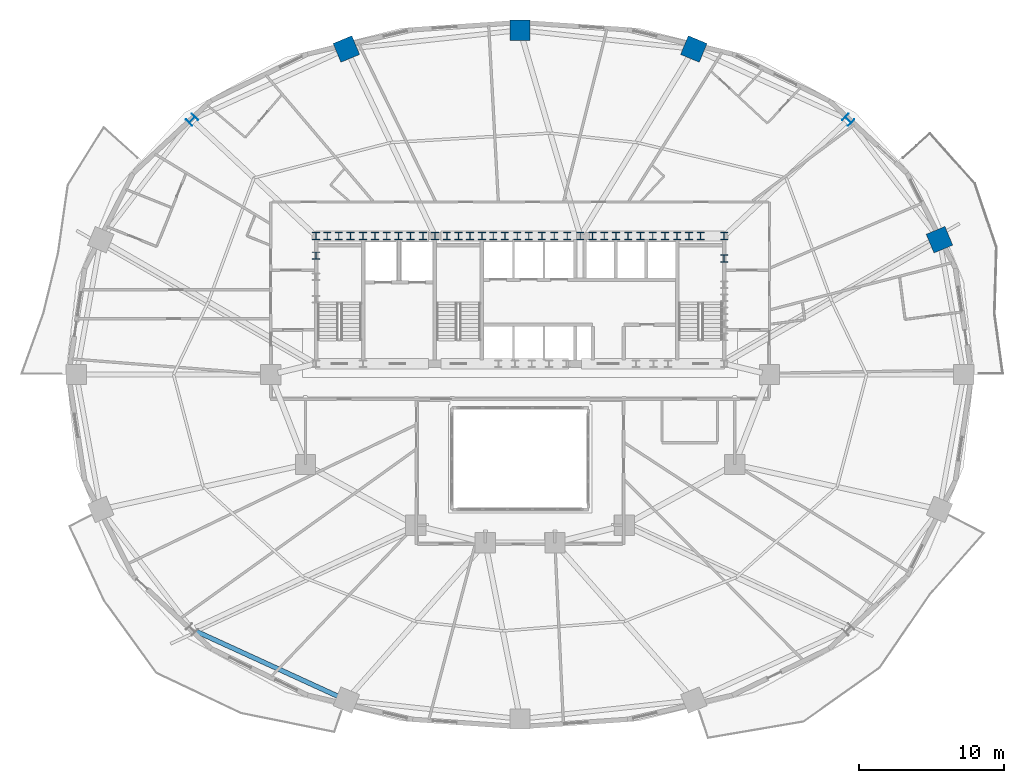
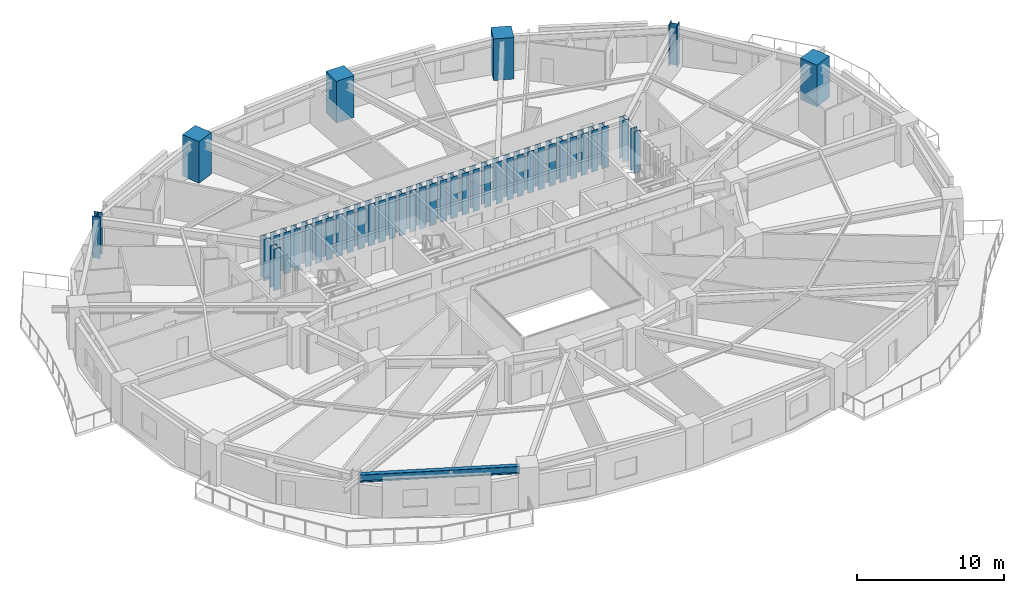
# One storey, part 2 of 17: 42 columns, 1 beam.
"""IFC4 building model written with IfcOpenShell, lengths in metres."""

from ifc_helpers import new_model, si_unit, direction, frame, origin, origin_2d, place, context, subcontext, project, spatial, rectangle, i_section, extrude, material, material_profile, profile_set, type_object, element, save


model = new_model("IFC4")

# Units and contexts
model_context = context("Model", 3, precision=1e-05, world=origin(), true_north=direction((0.0, 1.0)))
body_context = subcontext(model_context, "Body", "Model", "MODEL_VIEW")
ifc_project = project(units=[si_unit("LENGTHUNIT", "METRE"), si_unit("AREAUNIT", "SQUARE_METRE"), si_unit("VOLUMEUNIT", "CUBIC_METRE"), si_unit("PLANEANGLEUNIT", "RADIAN"), si_unit("MASSUNIT", "GRAM", prefix="KILO")], contexts=[model_context])

# Site, building, storey
site_placement = place(None, origin())
site = spatial("IfcSite", under=ifc_project, at=site_placement, CompositionType="ELEMENT")
building_placement = place(site_placement, origin())
building = spatial("IfcBuilding", under=site, at=building_placement, Name="Haldorwick Loom Tower", CompositionType="ELEMENT")
storey_placement = place(building_placement, frame((0.0, 0.0, 34.35009765625)))
storey = spatial("IfcBuildingStorey", under=building, at=storey_placement, Name="L08", CompositionType="ELEMENT", Elevation=34.35009765625)

# Columns
ifc_material_1 = material(Name="Concrete C60 (60 MPa)", Category="concrete")
ifc_material_profile_1 = material_profile(ifc_material_1, rectangle(XDim=1.39990234375, YDim=1.39990234375, at=origin_2d()), Name="RC1400X1400", Category="concrete")
ifc_profile_set_1 = profile_set([ifc_material_profile_1], Name="Concrete C60 (60 MPa)")
column_type_1 = type_object("IfcColumnType", Name="STR-COL-RC1400", PredefinedType="PILASTER", material=ifc_profile_set_1)
for number, where, z_axis, x_axis, name in (
    (1, (64.91748046875, 35.29931640625, 0.0), (0.0, 0.0, 1.0), (0.923879532511, 0.382683432365, 0.0), "L08 Perimeter Pier Column P02"),
    (2, (47.97802734375, 48.4501953125, 0.0), (0.0, 0.0, 1.0), (0.382683432365, 0.923879532511, 0.0), "L08 Perimeter Pier Column P04"),
    (3, (36.0, 49.75, 0.0), (0.0, 0.0, 1.0), (0.0, 1.0, 0.0), "L08 Perimeter Pier Column P05"),
    (4, (24.02197265625, 48.4501953125, 0.0), (0.0, 0.0, 1.0), (-0.382683432365, 0.923879532511, 0.0), "L08 Perimeter Pier Column P06"),
):
    element("IfcColumn", number, at=place(storey_placement, frame(where, z_axis=z_axis, x_axis=x_axis)), inside=storey, type_object=column_type_1, Name=name, PredefinedType="PILASTER", context=body_context, shape_type="SweptSolid", body=[
        extrude(rectangle(XDim=1.39990234375, YDim=1.39990234375, at=origin_2d()), origin(), (0.0, 0.0, 1.0), 3.449951171875),
    ])
ifc_material_2 = material(Name="Steel CSA G40.21 350WT", Category="steel")
ifc_material_profile_2 = material_profile(ifc_material_2, i_section(OverallWidth=0.5, OverallDepth=0.5, WebThickness=0.02197265625, FlangeThickness=0.031982421875, at=origin_2d()), Name="WWF500X500", Category="steel")
ifc_profile_set_2 = profile_set([ifc_material_profile_2], Name="Steel CSA G40.21 350WT")
column_type_2 = type_object("IfcColumnType", Name="STR-COL-WWF500", PredefinedType="COLUMN", material=ifc_profile_set_2)
for number, where, z_axis, x_axis, name in (
    (5, (21.929931640625, 35.550048828125, 0.0), (0.0, 0.0, 1.0), (1.0, 0.0, 0.0), "L08 Core Pilaster CB-01"),
    (6, (23.5, 35.550048828125, 0.0), (0.0, 0.0, 1.0), (1.0, 0.0, 0.0), "L08 Core Pilaster CB-02"),
    (7, (25.169921875, 35.550048828125, 0.0), (0.0, 0.0, 1.0), (1.0, 0.0, 0.0), "L08 Core Pilaster CB-03"),
    (8, (26.800048828125, 35.550048828125, 0.0), (0.0, 0.0, 1.0), (1.0, 0.0, 0.0), "L08 Core Pilaster CB-04"),
    (9, (28.449951171875, 35.550048828125, 0.0), (0.0, 0.0, 1.0), (1.0, 0.0, 0.0), "L08 Core Pilaster CB-05"),
    (10, (30.1298828125, 35.550048828125, 0.0), (0.0, 0.0, 1.0), (1.0, 0.0, 0.0), "L08 Core Pilaster CB-06"),
    (11, (31.75, 35.550048828125, 0.0), (0.0, 0.0, 1.0), (1.0, 0.0, 0.0), "L08 Core Pilaster CB-07"),
    (12, (33.3701171875, 35.550048828125, 0.0), (0.0, 0.0, 1.0), (1.0, 0.0, 0.0), "L08 Core Pilaster CB-08"),
    (13, (34.949951171875, 35.550048828125, 0.0), (0.0, 0.0, 1.0), (1.0, 0.0, 0.0), "L08 Core Pilaster CB-09"),
    (14, (36.60009765625, 35.550048828125, 0.0), (0.0, 0.0, 1.0), (1.0, 0.0, 0.0), "L08 Core Pilaster CB-10"),
    (15, (38.35009765625, 35.550048828125, 0.0), (0.0, 0.0, 1.0), (1.0, 0.0, 0.0), "L08 Core Pilaster CB-11"),
    (16, (40.14990234375, 35.550048828125, 0.0), (0.0, 0.0, 1.0), (1.0, 0.0, 0.0), "L08 Core Pilaster CB-12"),
    (17, (41.800048828125, 35.550048828125, 0.0), (0.0, 0.0, 1.0), (1.0, 0.0, 0.0), "L08 Core Pilaster CB-13"),
    (18, (43.449951171875, 35.550048828125, 0.0), (0.0, 0.0, 1.0), (1.0, 0.0, 0.0), "L08 Core Pilaster CB-14"),
    (19, (45.14990234375, 35.550048828125, 0.0), (0.0, 0.0, 1.0), (1.0, 0.0, 0.0), "L08 Core Pilaster CB-15"),
    (20, (46.830078125, 35.550048828125, 0.0), (0.0, 0.0, 1.0), (1.0, 0.0, 0.0), "L08 Core Pilaster CB-16"),
    (21, (48.449951171875, 35.550048828125, 0.0), (0.0, 0.0, 1.0), (1.0, 0.0, 0.0), "L08 Core Pilaster CB-17"),
    (22, (50.070068359375, 35.550048828125, 0.0), (0.0, 0.0, 1.0), (1.0, 0.0, 0.0), "L08 Core Pilaster CB-18"),
    (23, (21.929931640625, 34.199951171875, 0.0), (0.0, 0.0, 1.0), (1.0, 0.0, 0.0), "L08 Core Pilaster CB-28"),
    (24, (50.070068359375, 34.0, 0.0), (0.0, 0.0, 1.0), (1.0, 0.0, 0.0), "L08 Core Pilaster CB-32"),
    (25, (22.699951171875, 35.550048828125, 0.0), (0.0, 0.0, 1.0), (1.0, 0.0, 0.0), "L08 Core Pilaster CB-33"),
    (26, (27.6201171875, 35.550048828125, 0.0), (0.0, 0.0, 1.0), (1.0, 0.0, 0.0), "L08 Core Pilaster CB-34"),
    (27, (32.550048828125, 35.550048828125, 0.0), (0.0, 0.0, 1.0), (1.0, 0.0, 0.0), "L08 Core Pilaster CB-35"),
    (28, (37.5, 35.550048828125, 0.0), (0.0, 0.0, 1.0), (1.0, 0.0, 0.0), "L08 Core Pilaster CB-36"),
    (29, (42.6201171875, 35.550048828125, 0.0), (0.0, 0.0, 1.0), (1.0, 0.0, 0.0), "L08 Core Pilaster CB-37"),
    (30, (47.64990234375, 35.550048828125, 0.0), (0.0, 0.0, 1.0), (1.0, 0.0, 0.0), "L08 Core Pilaster CB-38"),
    (31, (24.300048828125, 35.550048828125, 0.0), (0.0, 0.0, 1.0), (1.0, 0.0, 0.0), "L08 Core Pilaster CB-39"),
    (32, (26.0, 35.550048828125, 0.0), (0.0, 0.0, 1.0), (1.0, 0.0, 0.0), "L08 Core Pilaster CB-40"),
    (33, (29.300048828125, 35.550048828125, 0.0), (0.0, 0.0, 1.0), (1.0, 0.0, 0.0), "L08 Core Pilaster CB-41"),
    (34, (30.949951171875, 35.550048828125, 0.0), (0.0, 0.0, 1.0), (1.0, 0.0, 0.0), "L08 Core Pilaster CB-42"),
    (35, (34.14990234375, 35.550048828125, 0.0), (0.0, 0.0, 1.0), (1.0, 0.0, 0.0), "L08 Core Pilaster CB-43"),
    (36, (35.800048828125, 35.550048828125, 0.0), (0.0, 0.0, 1.0), (1.0, 0.0, 0.0), "L08 Core Pilaster CB-44"),
    (37, (39.25, 35.550048828125, 0.0), (0.0, 0.0, 1.0), (1.0, 0.0, 0.0), "L08 Core Pilaster CB-45"),
    (38, (41.0, 35.550048828125, 0.0), (0.0, 0.0, 1.0), (1.0, 0.0, 0.0), "L08 Core Pilaster CB-46"),
    (39, (44.300048828125, 35.550048828125, 0.0), (0.0, 0.0, 1.0), (1.0, 0.0, 0.0), "L08 Core Pilaster CB-47"),
    (40, (46.0, 35.550048828125, 0.0), (0.0, 0.0, 1.0), (1.0, 0.0, 0.0), "L08 Core Pilaster CB-48"),
):
    element("IfcColumn", number, at=place(storey_placement, frame(where, z_axis=z_axis, x_axis=x_axis)), inside=storey, type_object=column_type_2, Name=name, PredefinedType="COLUMN", context=body_context, shape_type="SweptSolid", body=[
        extrude(i_section(OverallWidth=0.5, OverallDepth=0.5, WebThickness=0.02197265625, FlangeThickness=0.031982421875, at=origin_2d()), origin(), (0.0, 0.0, 1.0), 3.449951171875),
    ])
ifc_material_profile_3 = material_profile(ifc_material_2, i_section(OverallWidth=0.60009765625, OverallDepth=0.60009765625, WebThickness=0.02490234375, FlangeThickness=0.035888671875, at=origin_2d()), Name="WWF600X600", Category="steel")
ifc_profile_set_3 = profile_set([ifc_material_profile_3], Name="Steel CSA G40.21 350WT")
column_type_3 = type_object("IfcColumnType", Name="STR-COL-WWF600", PredefinedType="COLUMN", material=ifc_profile_set_3)
for number, where, z_axis, x_axis, name in (
    (41, (58.630126953125, 43.571533203125, 0.0), (0.0, 0.0, 1.0), (0.707106781187, 0.707106781187, 0.0), "L08 Perimeter Pier Column P03"),
    (42, (13.369873046875, 43.571533203125, 0.0), (0.0, 0.0, 1.0), (-0.707106781187, 0.707106781187, 0.0), "L08 Perimeter Pier Column P07"),
):
    element("IfcColumn", number, at=place(storey_placement, frame(where, z_axis=z_axis, x_axis=x_axis)), inside=storey, type_object=column_type_3, Name=name, PredefinedType="COLUMN", context=body_context, shape_type="SweptSolid", body=[
        extrude(i_section(OverallWidth=0.60009765625, OverallDepth=0.60009765625, WebThickness=0.02490234375, FlangeThickness=0.035888671875, at=origin_2d()), origin(), (0.0, 0.0, 1.0), 3.449951171875),
    ])

# Beam
ifc_material_3 = material(Name="Steel CSA G40.21 350W", Category="steel")
ifc_material_profile_4 = material_profile(ifc_material_3, i_section(OverallWidth=0.324951171875, OverallDepth=0.615966796875, WebThickness=0.013916015625, FlangeThickness=0.021484375, at=origin_2d()), Name="W610X174", Category="steel")
ifc_profile_set_4 = profile_set([ifc_material_profile_4], Name="Steel CSA G40.21 350W")
beam_type = type_object("IfcBeamType", Name="STR-BM-SP610", PredefinedType="SPANDREL", material=ifc_profile_set_4)
beam_placement = place(storey_placement, frame((13.619873046875, 8.31396484375, 2.90185546875), z_axis=(0.909173805321, -0.416416848504, 0.0), x_axis=(0.416416848504, 0.909173805321, 0.0)))
element("IfcBeam", 43, at=beam_placement, inside=storey, type_object=beam_type, Name="L08 Perimeter Spandrel 11", PredefinedType="SPANDREL", context=body_context, shape_type="SweptSolid", body=[
    extrude(i_section(OverallWidth=0.324951171875, OverallDepth=0.615966796875, WebThickness=0.013916015625, FlangeThickness=0.021484375, at=origin_2d()), origin(), (0.0, 0.0, 1.0), 10.92138671875),
])

save(model, "model.ifc")
